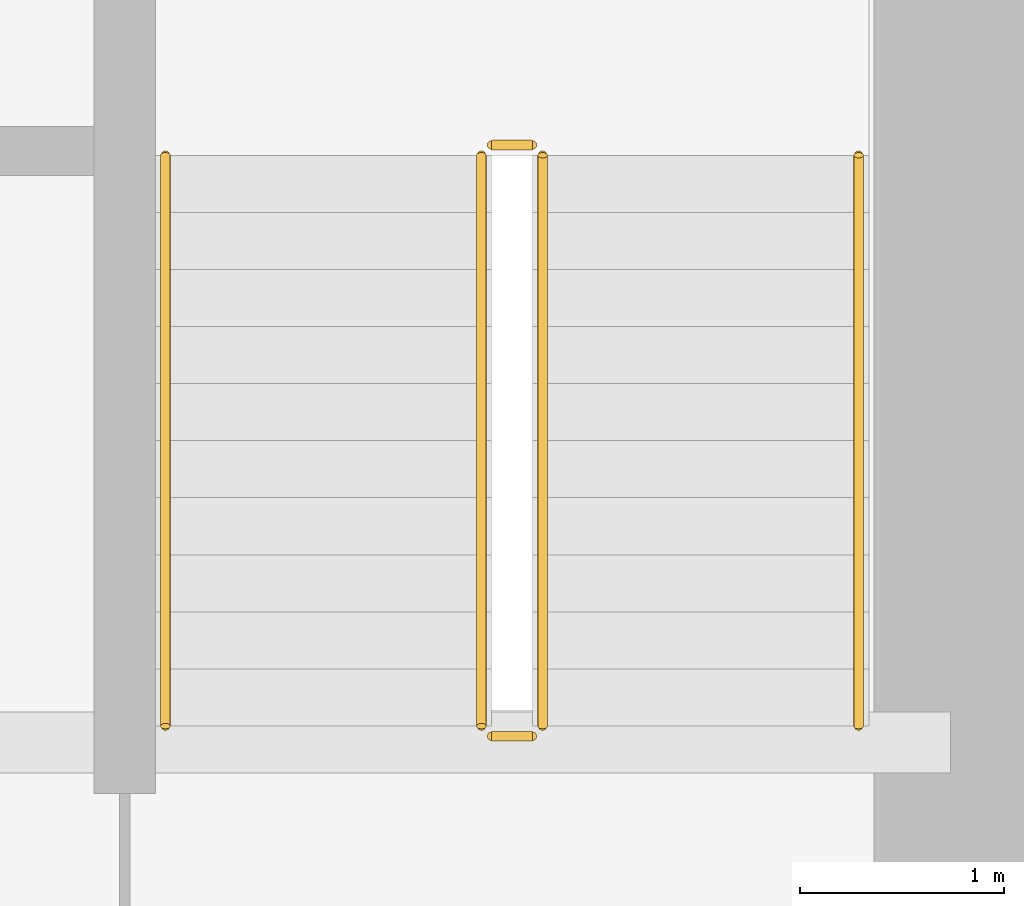
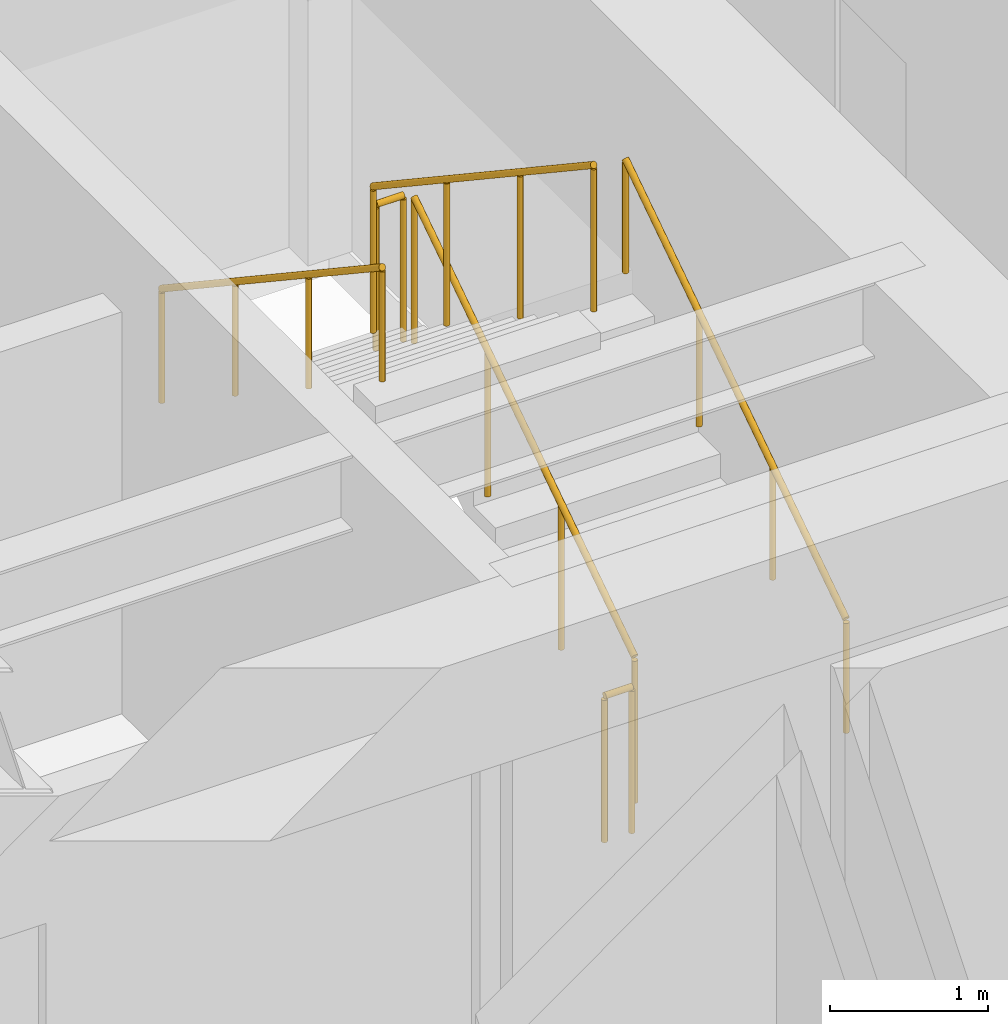
# One storey, part 35 of 35: 6 railings.
"""IFC4 building model written with IfcOpenShell, lengths in metres."""

from ifc_helpers import new_model, si_unit, direction, frame, origin, origin_2d, place, context, subcontext, project, spatial, circle, extrude, source, transform, mapped, material, type_object, type_shapes, element, save


model = new_model("IFC4")

# Units and contexts
model_context = context("Model", 3, precision=1e-05, world=origin(), true_north=direction((0.0, 1.0)))
body_context = subcontext(model_context, "Body", "Model", "MODEL_VIEW")
ifc_project = project(units=[si_unit("LENGTHUNIT", "METRE"), si_unit("AREAUNIT", "SQUARE_METRE"), si_unit("VOLUMEUNIT", "CUBIC_METRE"), si_unit("PLANEANGLEUNIT", "RADIAN"), si_unit("MASSUNIT", "GRAM", prefix="KILO")], contexts=[model_context])

# Site, building, storey
site_placement = place(None, origin())
site = spatial("IfcSite", under=ifc_project, at=site_placement, CompositionType="ELEMENT")
building_placement = place(site_placement, origin())
building = spatial("IfcBuilding", under=site, at=building_placement, Name="Haelvirn Gate Laboratories", CompositionType="ELEMENT")
storey_placement = place(building_placement, frame((0.0, 0.0, 82.60009765625)))
storey = spatial("IfcBuildingStorey", under=building, at=storey_placement, Name="L20", CompositionType="ELEMENT", Elevation=82.60009765625)

# Railings
ifc_material_1 = material(Name="Galvanised steel SM355 & stainless top rail", Category="steel")
railing_type_1 = type_object("IfcRailingType", Name="RL-GUARD-1150", PredefinedType="GUARDRAIL", material=ifc_material_1)
shared_shape_1 = source(origin(), body_context, "Body", "SweptSolid", [
    extrude(circle(Radius=0.02392578125, at=origin_2d()), frame((0.0, 0.0, 1.1259765625), z_axis=(0.0, 0.832485552168, 0.554046753832), x_axis=(-1.0, 0.0, 0.0)), (0.0, 0.0, 1.0), 3.363525390625),
    extrude(circle(Radius=0.02099609375, at=origin_2d()), origin(), (0.0, 0.0, 1.0), 1.101806640625),
    extrude(circle(Radius=0.02099609375, at=origin_2d()), frame((0.0, 0.933349609375, 0.62109375)), (0.0, 0.0, 1.0), 1.101806640625),
    extrude(circle(Radius=0.02099609375, at=origin_2d()), frame((0.0, 1.86669921875, 1.242431640625)), (0.0, 0.0, 1.0), 1.101806640625),
    extrude(circle(Radius=0.02099609375, at=origin_2d()), frame((0.0, 2.800048828125, 1.863525390625)), (0.0, 0.0, 1.0), 1.101806640625),
])
railing_1_placement = place(storey_placement, frame((65.39990234375, 26.699951171875, 0.186279296875)))
element("IfcRailing", 1, at=railing_1_placement, inside=storey, type_object=railing_type_1, Name="L20 ST2 stair guard 1", PredefinedType="GUARDRAIL", context=body_context, shape_type="MappedRepresentation", body=[
    mapped(shared_shape_1, transform((0.0, 0.0, 0.0), scale=1.0)),
])
ifc_material_2 = material(Name="Brushed stainless steel 316L", Category="steel")
railing_type_2 = type_object("IfcRailingType", Name="RL-HAND-920", PredefinedType="HANDRAIL", material=ifc_material_2)
shared_shape_2 = source(origin(), body_context, "Body", "SweptSolid", [
    extrude(circle(Radius=0.02392578125, at=origin_2d()), frame((0.0, 0.0, 0.8759765625), z_axis=(0.0, 0.832485552168, 0.554046753832), x_axis=(-1.0, 0.0, 0.0)), (0.0, 0.0, 1.0), 3.363525390625),
    extrude(circle(Radius=0.02099609375, at=origin_2d()), origin(), (0.0, 0.0, 1.0), 0.851806640625),
    extrude(circle(Radius=0.02099609375, at=origin_2d()), frame((0.0, 0.933349609375, 0.62109375)), (0.0, 0.0, 1.0), 0.851806640625),
    extrude(circle(Radius=0.02099609375, at=origin_2d()), frame((0.0, 1.86669921875, 1.242431640625)), (0.0, 0.0, 1.0), 0.851806640625),
    extrude(circle(Radius=0.02099609375, at=origin_2d()), frame((0.0, 2.800048828125, 1.863525390625)), (0.0, 0.0, 1.0), 0.851806640625),
])
railing_2_placement = place(storey_placement, frame((66.949951171875, 26.699951171875, 0.186279296875)))
element("IfcRailing", 2, at=railing_2_placement, inside=storey, type_object=railing_type_2, Name="L20 ST2 stair handrail 1", PredefinedType="HANDRAIL", context=body_context, shape_type="MappedRepresentation", body=[
    mapped(shared_shape_2, transform((0.0, 0.0, 0.0), scale=1.0)),
])
shared_shape_3 = source(origin(), body_context, "Body", "SweptSolid", [
    extrude(circle(Radius=0.02392578125, at=origin_2d()), frame((0.0, 0.0, 1.1259765625), z_axis=(0.0, -0.832485552168, 0.554046753832), x_axis=(1.0, 0.0, 0.0)), (0.0, 0.0, 1.0), 3.363525390625),
    extrude(circle(Radius=0.02099609375, at=origin_2d()), origin(), (0.0, 0.0, 1.0), 1.101806640625),
    extrude(circle(Radius=0.02099609375, at=origin_2d()), frame((0.0, -0.933349609375, 0.62109375)), (0.0, 0.0, 1.0), 1.101806640625),
    extrude(circle(Radius=0.02099609375, at=origin_2d()), frame((0.0, -1.86669921875, 1.242431640625)), (0.0, 0.0, 1.0), 1.101806640625),
    extrude(circle(Radius=0.02099609375, at=origin_2d()), frame((0.0, -2.800048828125, 1.863525390625)), (0.0, 0.0, 1.0), 1.101806640625),
])
railing_3_placement = place(storey_placement, frame((65.10009765625, 29.5, 2.236328125)))
element("IfcRailing", 3, at=railing_3_placement, inside=storey, type_object=railing_type_1, Name="L20 ST2 stair guard 3", PredefinedType="GUARDRAIL", context=body_context, shape_type="MappedRepresentation", body=[
    mapped(shared_shape_3, transform((0.0, 0.0, 0.0), scale=1.0)),
])
shared_shape_4 = source(origin(), body_context, "Body", "SweptSolid", [
    extrude(circle(Radius=0.02392578125, at=origin_2d()), frame((0.0, 0.0, 0.8759765625), z_axis=(0.0, -0.832485552168, 0.554046753832), x_axis=(1.0, 0.0, 0.0)), (0.0, 0.0, 1.0), 3.363525390625),
    extrude(circle(Radius=0.02099609375, at=origin_2d()), origin(), (0.0, 0.0, 1.0), 0.851806640625),
    extrude(circle(Radius=0.02099609375, at=origin_2d()), frame((0.0, -0.933349609375, 0.62109375)), (0.0, 0.0, 1.0), 0.851806640625),
    extrude(circle(Radius=0.02099609375, at=origin_2d()), frame((0.0, -1.86669921875, 1.242431640625)), (0.0, 0.0, 1.0), 0.851806640625),
    extrude(circle(Radius=0.02099609375, at=origin_2d()), frame((0.0, -2.800048828125, 1.863525390625)), (0.0, 0.0, 1.0), 0.851806640625),
])
type_shapes(railing_type_2, [shared_shape_2, shared_shape_4])
railing_4_placement = place(storey_placement, frame((63.550048828125, 29.5, 2.236328125)))
element("IfcRailing", 4, at=railing_4_placement, inside=storey, type_object=railing_type_2, Name="L20 ST2 stair handrail 2", PredefinedType="HANDRAIL", context=body_context, shape_type="MappedRepresentation", body=[
    mapped(shared_shape_4, transform((0.0, 0.0, 0.0), scale=1.0)),
])
shared_shape_5 = source(origin(), body_context, "Body", "SweptSolid", [
    extrude(circle(Radius=0.02392578125, at=origin_2d()), frame((0.0, 0.0, 1.1259765625), z_axis=(-1.0, 0.0, 0.0), x_axis=(0.0, -1.0, 0.0)), (0.0, 0.0, 1.0), 0.2001953125),
    extrude(circle(Radius=0.02099609375, at=origin_2d()), origin(), (0.0, 0.0, 1.0), 1.101806640625),
    extrude(circle(Radius=0.02099609375, at=origin_2d()), frame((-0.2001953125, 0.0, 0.0)), (0.0, 0.0, 1.0), 1.101806640625),
])
type_shapes(railing_type_1, [shared_shape_1, shared_shape_3, shared_shape_5])
for number, where, name in (
    (5, (65.35009765625, 29.550048828125, 2.0498046875), "L20 ST2 stair guard 2"),
    (6, (65.35009765625, 26.64990234375, 0.0), "L20 ST2 stair guard 4"),
):
    element("IfcRailing", number, at=place(storey_placement, frame(where)), inside=storey, type_object=railing_type_1, Name=name, PredefinedType="GUARDRAIL", context=body_context, shape_type="MappedRepresentation", body=[
        mapped(shared_shape_5, transform((0.0, 0.0, 0.0), scale=1.0)),
    ])

save(model, "model.ifc")
